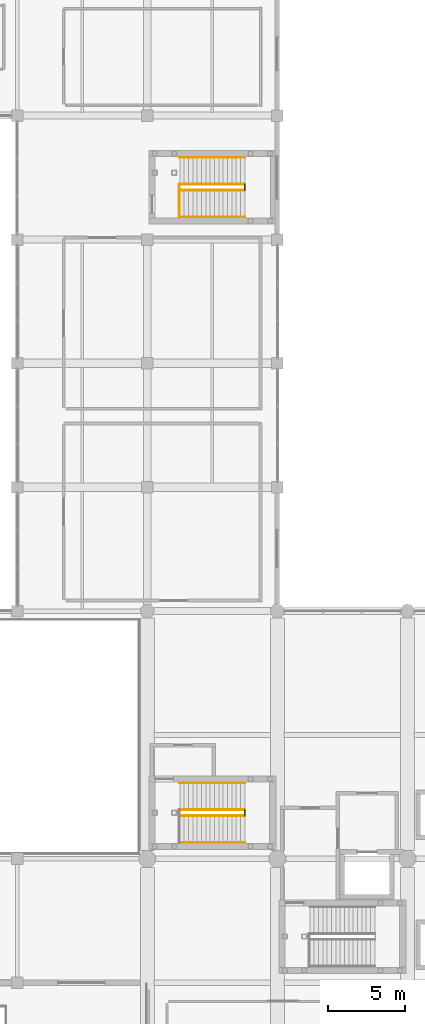
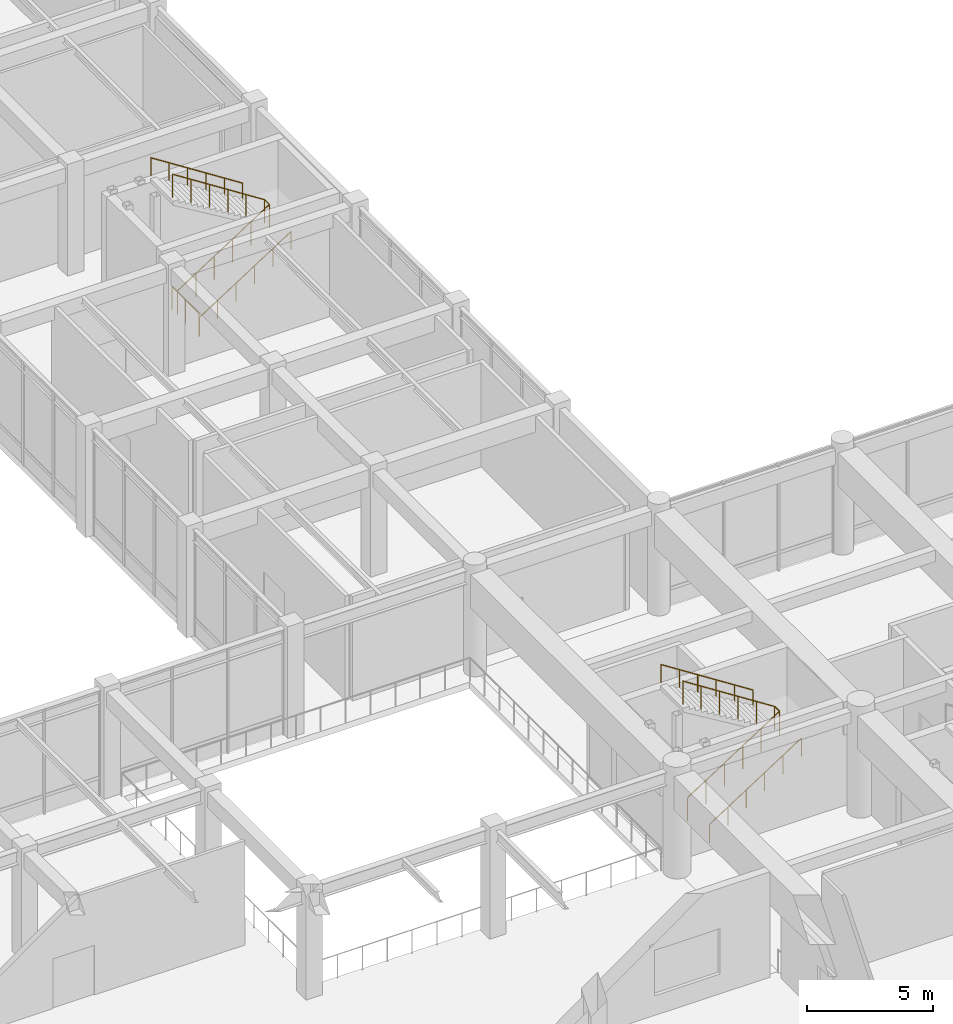
# One storey, part 75 of 79: 11 railings.
"""IFC4 building model written with IfcOpenShell, lengths in metres."""

from ifc_helpers import new_model, si_unit, direction, frame, origin, origin_2d, place, context, subcontext, project, spatial, circle, extrude, material, layer, layer_set, type_object, element, save


model = new_model("IFC4")

# Units and contexts
model_context = context("Model", 3, precision=1e-05, world=origin(), true_north=direction((0.0, 1.0)))
body_context = subcontext(model_context, "Body", "Model", "MODEL_VIEW")
ifc_project = project(units=[si_unit("LENGTHUNIT", "METRE"), si_unit("AREAUNIT", "SQUARE_METRE"), si_unit("VOLUMEUNIT", "CUBIC_METRE"), si_unit("PLANEANGLEUNIT", "RADIAN"), si_unit("MASSUNIT", "GRAM", prefix="KILO")], contexts=[model_context])

# Site, building, storey
site_placement = place(None, origin())
site = spatial("IfcSite", under=ifc_project, at=site_placement, CompositionType="ELEMENT")
building_placement = place(site_placement, origin())
building = spatial("IfcBuilding", under=site, at=building_placement, Name="Naruveol Harbour Congress Hotel", CompositionType="ELEMENT")
storey_placement = place(building_placement, frame((0.0, 0.0, 6.0)))
storey = spatial("IfcBuildingStorey", under=building, at=storey_placement, Name="L01", CompositionType="ELEMENT", Elevation=6.0)

# Railings
ifc_material_1 = material(Name="Stainless Steel 304", Category="steel")
ifc_layer_1 = layer(ifc_material_1, 0.0419921875)
ifc_layer_set_1 = layer_set([ifc_layer_1], Name="Stainless Steel 304")
railing_type_1 = type_object("IfcRailingType", Name="STAIR WALL MOUNTED HANDRAIL 900", PredefinedType="HANDRAIL", material=ifc_layer_set_1)
railing_1_placement = place(storey_placement, frame((119.699951171875, 17.06005859375, 0.0)))
element("IfcRailing", 1, at=railing_1_placement, inside=storey, type_object=railing_type_1, Name="Stair ST3 L01 lower wall handrail", PredefinedType="HANDRAIL", context=body_context, shape_type="SweptSolid", body=[
    extrude(circle(Radius=0.02392578125, at=origin_2d()), frame((0.0, 0.0, 0.8759765625), z_axis=(0.841180064094, 0.0, 0.540755119968), x_axis=(0.0, 1.0, 0.0)), (0.0, 0.0, 1.0), 4.992919921875),
    extrude(circle(Radius=0.02099609375, at=origin_2d()), origin(), (0.0, 0.0, 1.0), 0.851806640625),
    extrude(circle(Radius=0.02099609375, at=origin_2d()), frame((0.840087890625, 0.0, 0.5400390625)), (0.0, 0.0, 1.0), 0.851806640625),
    extrude(circle(Radius=0.02099609375, at=origin_2d()), frame((1.679931640625, 0.0, 1.080078125)), (0.0, 0.0, 1.0), 0.851806640625),
    extrude(circle(Radius=0.02099609375, at=origin_2d()), frame((2.52001953125, 0.0, 1.619873046875)), (0.0, 0.0, 1.0), 0.851806640625),
    extrude(circle(Radius=0.02099609375, at=origin_2d()), frame((3.35986328125, 0.0, 2.159912109375)), (0.0, 0.0, 1.0), 0.851806640625),
    extrude(circle(Radius=0.02099609375, at=origin_2d()), frame((4.199951171875, 0.0, 2.699951171875)), (0.0, 0.0, 1.0), 0.851806640625),
])
railing_2_placement = place(storey_placement, frame((123.89990234375, 20.89990234375, 2.699951171875)))
element("IfcRailing", 2, at=railing_2_placement, inside=storey, type_object=railing_type_1, Name="Stair ST3 L01 upper wall handrail", PredefinedType="HANDRAIL", context=body_context, shape_type="SweptSolid", body=[
    extrude(circle(Radius=0.02392578125, at=origin_2d()), frame((0.0, 0.0, 0.8759765625), z_axis=(-0.841180064094, 0.0, 0.540755119968), x_axis=(0.0, -1.0, 0.0)), (0.0, 0.0, 1.0), 4.992919921875),
    extrude(circle(Radius=0.02099609375, at=origin_2d()), origin(), (0.0, 0.0, 1.0), 0.851806640625),
    extrude(circle(Radius=0.02099609375, at=origin_2d()), frame((-0.840087890625, 0.0, 0.5400390625)), (0.0, 0.0, 1.0), 0.851806640625),
    extrude(circle(Radius=0.02099609375, at=origin_2d()), frame((-1.679931640625, 0.0, 1.080078125)), (0.0, 0.0, 1.0), 0.851806640625),
    extrude(circle(Radius=0.02099609375, at=origin_2d()), frame((-2.52001953125, 0.0, 1.619873046875)), (0.0, 0.0, 1.0), 0.851806640625),
    extrude(circle(Radius=0.02099609375, at=origin_2d()), frame((-3.35986328125, 0.0, 2.159912109375)), (0.0, 0.0, 1.0), 0.851806640625),
    extrude(circle(Radius=0.02099609375, at=origin_2d()), frame((-4.199951171875, 0.0, 2.699951171875)), (0.0, 0.0, 1.0), 0.851806640625),
])
railing_3_placement = place(storey_placement, frame((119.699951171875, 57.4599609375, 0.0)))
element("IfcRailing", 3, at=railing_3_placement, inside=storey, type_object=railing_type_1, Name="Stair ST9 L01 lower wall handrail", PredefinedType="HANDRAIL", context=body_context, shape_type="SweptSolid", body=[
    extrude(circle(Radius=0.02392578125, at=origin_2d()), frame((0.0, 0.0, 0.8759765625), z_axis=(0.841180064094, 0.0, 0.540755119968), x_axis=(0.0, 1.0, 0.0)), (0.0, 0.0, 1.0), 4.992919921875),
    extrude(circle(Radius=0.02099609375, at=origin_2d()), origin(), (0.0, 0.0, 1.0), 0.851806640625),
    extrude(circle(Radius=0.02099609375, at=origin_2d()), frame((0.840087890625, 0.0, 0.5400390625)), (0.0, 0.0, 1.0), 0.851806640625),
    extrude(circle(Radius=0.02099609375, at=origin_2d()), frame((1.679931640625, 0.0, 1.080078125)), (0.0, 0.0, 1.0), 0.851806640625),
    extrude(circle(Radius=0.02099609375, at=origin_2d()), frame((2.52001953125, 0.0, 1.619873046875)), (0.0, 0.0, 1.0), 0.851806640625),
    extrude(circle(Radius=0.02099609375, at=origin_2d()), frame((3.35986328125, 0.0, 2.159912109375)), (0.0, 0.0, 1.0), 0.851806640625),
    extrude(circle(Radius=0.02099609375, at=origin_2d()), frame((4.199951171875, 0.0, 2.699951171875)), (0.0, 0.0, 1.0), 0.851806640625),
])
railing_4_placement = place(storey_placement, frame((123.89990234375, 61.300048828125, 2.699951171875)))
element("IfcRailing", 4, at=railing_4_placement, inside=storey, type_object=railing_type_1, Name="Stair ST9 L01 upper wall handrail", PredefinedType="HANDRAIL", context=body_context, shape_type="SweptSolid", body=[
    extrude(circle(Radius=0.02392578125, at=origin_2d()), frame((0.0, 0.0, 0.8759765625), z_axis=(-0.841180064094, 0.0, 0.540755119968), x_axis=(0.0, -1.0, 0.0)), (0.0, 0.0, 1.0), 4.992919921875),
    extrude(circle(Radius=0.02099609375, at=origin_2d()), origin(), (0.0, 0.0, 1.0), 0.851806640625),
    extrude(circle(Radius=0.02099609375, at=origin_2d()), frame((-0.840087890625, 0.0, 0.5400390625)), (0.0, 0.0, 1.0), 0.851806640625),
    extrude(circle(Radius=0.02099609375, at=origin_2d()), frame((-1.679931640625, 0.0, 1.080078125)), (0.0, 0.0, 1.0), 0.851806640625),
    extrude(circle(Radius=0.02099609375, at=origin_2d()), frame((-2.52001953125, 0.0, 1.619873046875)), (0.0, 0.0, 1.0), 0.851806640625),
    extrude(circle(Radius=0.02099609375, at=origin_2d()), frame((-3.35986328125, 0.0, 2.159912109375)), (0.0, 0.0, 1.0), 0.851806640625),
    extrude(circle(Radius=0.02099609375, at=origin_2d()), frame((-4.199951171875, 0.0, 2.699951171875)), (0.0, 0.0, 1.0), 0.851806640625),
])
ifc_material_2 = material(Name="Steel SN490", Category="steel")
ifc_layer_2 = layer(ifc_material_2, 0.044921875)
ifc_layer_set_2 = layer_set([ifc_layer_2], Name="Steel SN490")
railing_type_2 = type_object("IfcRailingType", Name="STAIRWELL STEEL GUARDRAIL 1150", PredefinedType="GUARDRAIL", material=ifc_layer_set_2)
railing_5_placement = place(storey_placement, frame((119.699951171875, 18.7900390625, 0.0)))
element("IfcRailing", 5, at=railing_5_placement, inside=storey, type_object=railing_type_2, Name="Stair ST3 L01 lower well guard", PredefinedType="GUARDRAIL", context=body_context, shape_type="SweptSolid", body=[
    extrude(circle(Radius=0.02392578125, at=origin_2d()), frame((0.0, 0.0, 1.1259765625), z_axis=(0.841180064094, 0.0, 0.540755119968), x_axis=(0.0, 1.0, 0.0)), (0.0, 0.0, 1.0), 4.992919921875),
    extrude(circle(Radius=0.02099609375, at=origin_2d()), origin(), (0.0, 0.0, 1.0), 1.101806640625),
    extrude(circle(Radius=0.02099609375, at=origin_2d()), frame((0.840087890625, 0.0, 0.5400390625)), (0.0, 0.0, 1.0), 1.101806640625),
    extrude(circle(Radius=0.02099609375, at=origin_2d()), frame((1.679931640625, 0.0, 1.080078125)), (0.0, 0.0, 1.0), 1.101806640625),
    extrude(circle(Radius=0.02099609375, at=origin_2d()), frame((2.52001953125, 0.0, 1.619873046875)), (0.0, 0.0, 1.0), 1.101806640625),
    extrude(circle(Radius=0.02099609375, at=origin_2d()), frame((3.35986328125, 0.0, 2.159912109375)), (0.0, 0.0, 1.0), 1.101806640625),
    extrude(circle(Radius=0.02099609375, at=origin_2d()), frame((4.199951171875, 0.0, 2.699951171875)), (0.0, 0.0, 1.0), 1.101806640625),
])
railing_6_placement = place(storey_placement, frame((123.89990234375, 18.7900390625, 2.699951171875)))
element("IfcRailing", 6, at=railing_6_placement, inside=storey, type_object=railing_type_2, Name="Stair ST3 L01 half-landing slot guard", PredefinedType="GUARDRAIL", context=body_context, shape_type="SweptSolid", body=[
    extrude(circle(Radius=0.02392578125, at=origin_2d()), frame((0.0, 0.0, 1.1259765625), z_axis=(0.0, 1.0, 0.0), x_axis=(-1.0, 0.0, 0.0)), (0.0, 0.0, 1.0), 0.3798828125),
    extrude(circle(Radius=0.02099609375, at=origin_2d()), origin(), (0.0, 0.0, 1.0), 1.101806640625),
    extrude(circle(Radius=0.02099609375, at=origin_2d()), frame((0.0, 0.3798828125, 0.0)), (0.0, 0.0, 1.0), 1.101806640625),
])
railing_7_placement = place(storey_placement, frame((123.89990234375, 19.169921875, 2.699951171875)))
element("IfcRailing", 7, at=railing_7_placement, inside=storey, type_object=railing_type_2, Name="Stair ST3 L01 upper well guard", PredefinedType="GUARDRAIL", context=body_context, shape_type="SweptSolid", body=[
    extrude(circle(Radius=0.02392578125, at=origin_2d()), frame((0.0, 0.0, 1.1259765625), z_axis=(-0.841180064094, 0.0, 0.540755119968), x_axis=(0.0, -1.0, 0.0)), (0.0, 0.0, 1.0), 4.992919921875),
    extrude(circle(Radius=0.02099609375, at=origin_2d()), origin(), (0.0, 0.0, 1.0), 1.101806640625),
    extrude(circle(Radius=0.02099609375, at=origin_2d()), frame((-0.840087890625, 0.0, 0.5400390625)), (0.0, 0.0, 1.0), 1.101806640625),
    extrude(circle(Radius=0.02099609375, at=origin_2d()), frame((-1.679931640625, 0.0, 1.080078125)), (0.0, 0.0, 1.0), 1.101806640625),
    extrude(circle(Radius=0.02099609375, at=origin_2d()), frame((-2.52001953125, 0.0, 1.619873046875)), (0.0, 0.0, 1.0), 1.101806640625),
    extrude(circle(Radius=0.02099609375, at=origin_2d()), frame((-3.35986328125, 0.0, 2.159912109375)), (0.0, 0.0, 1.0), 1.101806640625),
    extrude(circle(Radius=0.02099609375, at=origin_2d()), frame((-4.199951171875, 0.0, 2.699951171875)), (0.0, 0.0, 1.0), 1.101806640625),
])
railing_8_placement = place(storey_placement, frame((119.699951171875, 59.18994140625, 0.0)))
element("IfcRailing", 8, at=railing_8_placement, inside=storey, type_object=railing_type_2, Name="Stair ST9 L01 lower well guard", PredefinedType="GUARDRAIL", context=body_context, shape_type="SweptSolid", body=[
    extrude(circle(Radius=0.02392578125, at=origin_2d()), frame((0.0, 0.0, 1.1259765625), z_axis=(0.841180064094, 0.0, 0.540755119968), x_axis=(0.0, 1.0, 0.0)), (0.0, 0.0, 1.0), 4.992919921875),
    extrude(circle(Radius=0.02099609375, at=origin_2d()), origin(), (0.0, 0.0, 1.0), 1.101806640625),
    extrude(circle(Radius=0.02099609375, at=origin_2d()), frame((0.840087890625, 0.0, 0.5400390625)), (0.0, 0.0, 1.0), 1.101806640625),
    extrude(circle(Radius=0.02099609375, at=origin_2d()), frame((1.679931640625, 0.0, 1.080078125)), (0.0, 0.0, 1.0), 1.101806640625),
    extrude(circle(Radius=0.02099609375, at=origin_2d()), frame((2.52001953125, 0.0, 1.619873046875)), (0.0, 0.0, 1.0), 1.101806640625),
    extrude(circle(Radius=0.02099609375, at=origin_2d()), frame((3.35986328125, 0.0, 2.159912109375)), (0.0, 0.0, 1.0), 1.101806640625),
    extrude(circle(Radius=0.02099609375, at=origin_2d()), frame((4.199951171875, 0.0, 2.699951171875)), (0.0, 0.0, 1.0), 1.101806640625),
])
railing_9_placement = place(storey_placement, frame((123.89990234375, 59.18994140625, 2.699951171875)))
element("IfcRailing", 9, at=railing_9_placement, inside=storey, type_object=railing_type_2, Name="Stair ST9 L01 half-landing slot guard", PredefinedType="GUARDRAIL", context=body_context, shape_type="SweptSolid", body=[
    extrude(circle(Radius=0.02392578125, at=origin_2d()), frame((0.0, 0.0, 1.1259765625), z_axis=(0.0, 1.0, 0.0), x_axis=(-1.0, 0.0, 0.0)), (0.0, 0.0, 1.0), 0.380126953125),
    extrude(circle(Radius=0.02099609375, at=origin_2d()), origin(), (0.0, 0.0, 1.0), 1.101806640625),
    extrude(circle(Radius=0.02099609375, at=origin_2d()), frame((0.0, 0.380126953125, 0.0)), (0.0, 0.0, 1.0), 1.101806640625),
])
railing_10_placement = place(storey_placement, frame((123.89990234375, 59.570068359375, 2.699951171875)))
element("IfcRailing", 10, at=railing_10_placement, inside=storey, type_object=railing_type_2, Name="Stair ST9 L01 upper well guard", PredefinedType="GUARDRAIL", context=body_context, shape_type="SweptSolid", body=[
    extrude(circle(Radius=0.02392578125, at=origin_2d()), frame((0.0, 0.0, 1.1259765625), z_axis=(-0.841180064094, 0.0, 0.540755119968), x_axis=(0.0, -1.0, 0.0)), (0.0, 0.0, 1.0), 4.992919921875),
    extrude(circle(Radius=0.02099609375, at=origin_2d()), origin(), (0.0, 0.0, 1.0), 1.101806640625),
    extrude(circle(Radius=0.02099609375, at=origin_2d()), frame((-0.840087890625, 0.0, 0.5400390625)), (0.0, 0.0, 1.0), 1.101806640625),
    extrude(circle(Radius=0.02099609375, at=origin_2d()), frame((-1.679931640625, 0.0, 1.080078125)), (0.0, 0.0, 1.0), 1.101806640625),
    extrude(circle(Radius=0.02099609375, at=origin_2d()), frame((-2.52001953125, 0.0, 1.619873046875)), (0.0, 0.0, 1.0), 1.101806640625),
    extrude(circle(Radius=0.02099609375, at=origin_2d()), frame((-3.35986328125, 0.0, 2.159912109375)), (0.0, 0.0, 1.0), 1.101806640625),
    extrude(circle(Radius=0.02099609375, at=origin_2d()), frame((-4.199951171875, 0.0, 2.699951171875)), (0.0, 0.0, 1.0), 1.101806640625),
])
railing_11_placement = place(storey_placement, frame((119.659912109375, 57.419921875, 0.0)))
element("IfcRailing", 11, at=railing_11_placement, inside=storey, type_object=railing_type_2, Name="Stair ST9 L01 landing well guard", PredefinedType="GUARDRAIL", context=body_context, shape_type="SweptSolid", body=[
    extrude(circle(Radius=0.02392578125, at=origin_2d()), frame((0.0, 0.0, 1.1259765625), z_axis=(0.0, 1.0, 0.0), x_axis=(-1.0, 0.0, 0.0)), (0.0, 0.0, 1.0), 2.150146484375),
    extrude(circle(Radius=0.02099609375, at=origin_2d()), origin(), (0.0, 0.0, 1.0), 1.101806640625),
    extrude(circle(Radius=0.02099609375, at=origin_2d()), frame((0.0, 1.0751953125, 0.0)), (0.0, 0.0, 1.0), 1.101806640625),
    extrude(circle(Radius=0.02099609375, at=origin_2d()), frame((0.0, 2.150146484375, 0.0)), (0.0, 0.0, 1.0), 1.101806640625),
])

save(model, "model.ifc")
